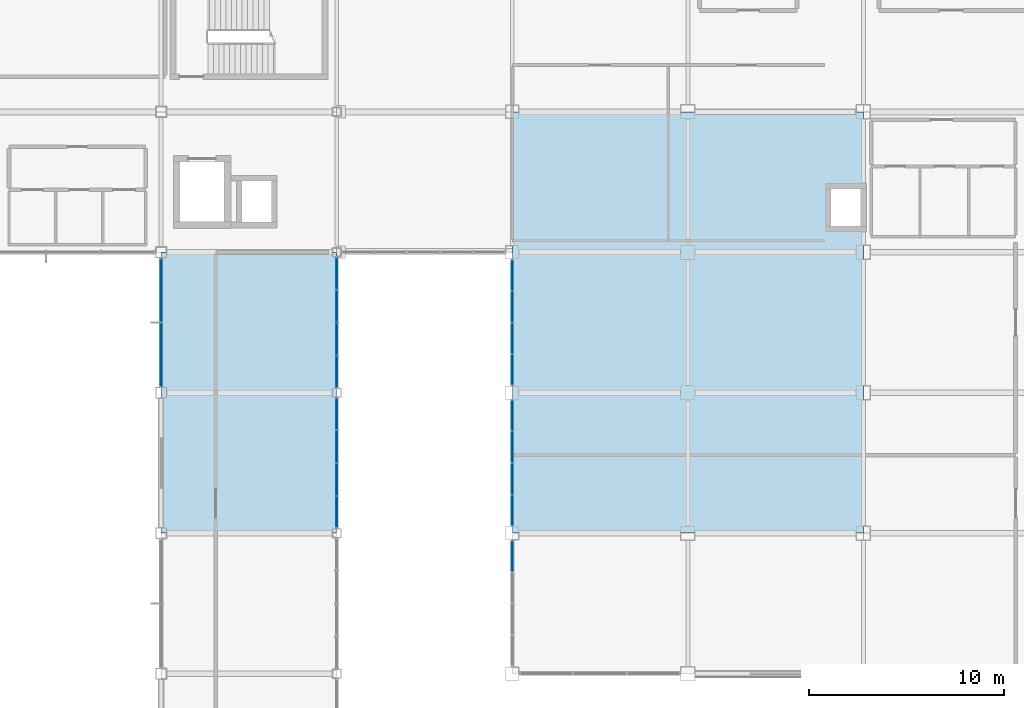
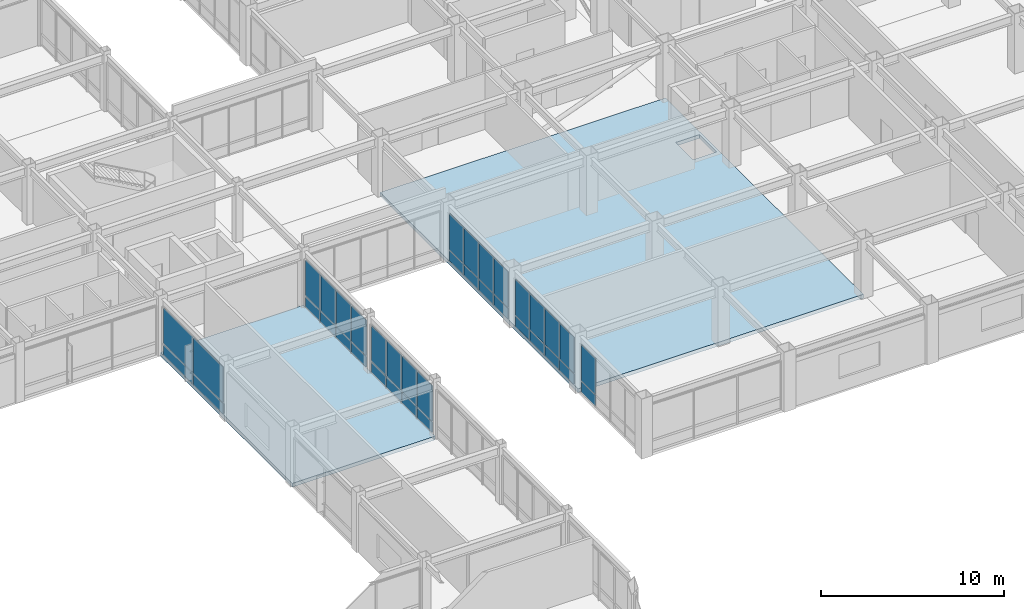
# One storey, part 93 of 122: 38 plates, 2 slabs, 6 elements without a shape of their own.
"""IFC4 building model written with IfcOpenShell, lengths in metres."""

import ifcopenshell
import ifcopenshell.guid

model = None  # the IFC model being written
_history = None  # IfcOwnerHistory: only IFC2X3 demands one
_inside = {}  # id of a spatial element -> (the spatial element, [elements in it])
_under = {}  # id of a project, library or spatial element -> (it, [spatial elements below it])
_declared = {}  # id of a project -> (the project, [libraries it declares])
_typed = {}  # id of a type object -> (the type object, [elements of that type])
_made_of = {}  # id of a material, layer set ... -> (it, [elements and type objects made of it])


def new_model(schema):
    """Start an empty IFC model of exactly this schema.

    Asked for "IFC4X3", IfcOpenShell would pick the latest addendum, in which some entities
    have other attributes; the version numbers below select the first issue.
    IFC2X3 requires an IfcOwnerHistory on every rooted entity: one is made here for all.
    """
    global model, _history
    if schema == "IFC4X3":
        model = ifcopenshell.file(schema_version=(4, 3, 0, 0))
    else:
        model = ifcopenshell.file(schema=schema)
    _inside.clear()
    _under.clear()
    _declared.clear()
    _typed.clear()
    _made_of.clear()
    _history = None
    if model.schema == "IFC2X3":
        org = make("IfcOrganization", Name="unknown")
        user = make(
            "IfcPersonAndOrganization",
            ThePerson=make("IfcPerson", FamilyName="unknown"),
            TheOrganization=org,
        )
        app = make(
            "IfcApplication",
            ApplicationDeveloper=org,
            Version="unknown",
            ApplicationFullName="unknown",
            ApplicationIdentifier="unknown",
        )
        _history = make(
            "IfcOwnerHistory",
            OwningUser=user,
            OwningApplication=app,
            ChangeAction="ADDED",
            CreationDate=0,
        )
    return model


def make(cls, **values):
    """One entity of the class cls with the attributes given. An attribute that is None is left unset."""
    return model.create_entity(
        cls, **{name: value for name, value in values.items() if value is not None}
    )


def rooted(cls, **values):
    """An entity with a GlobalId (a new one), such as an element, a storey or a relation."""
    return make(cls, GlobalId=ifcopenshell.guid.new(), OwnerHistory=_history, **values)


def si_unit(unit_type, name, prefix=None):
    """IfcSIUnit, for example si_unit("LENGTHUNIT", "METRE", prefix="MILLI")."""
    return make("IfcSIUnit", UnitType=unit_type, Prefix=prefix, Name=name)


def assignment(units):
    """IfcUnitAssignment: the units of a project."""
    return None if units is None else make("IfcUnitAssignment", Units=units)


def point(xyz):
    """IfcCartesianPoint."""
    return None if xyz is None else make("IfcCartesianPoint", Coordinates=xyz)


def direction(xyz):
    """IfcDirection."""
    return None if xyz is None else make("IfcDirection", DirectionRatios=xyz)


def frame(location, z_axis=None, x_axis=None):
    """IfcAxis2Placement3D, a coordinate frame: its origin and axes. An axis left out is left unset."""
    return make(
        "IfcAxis2Placement3D",
        Location=point(location),
        Axis=direction(z_axis),
        RefDirection=direction(x_axis),
    )


def frame_2d(location, x_axis=None):
    """IfcAxis2Placement2D, a coordinate frame in the plane: its origin and x axis."""
    return make(
        "IfcAxis2Placement2D", Location=point(location), RefDirection=direction(x_axis)
    )


def origin():
    """The frame at (0, 0, 0) with its axes left unset."""
    return frame((0.0, 0.0, 0.0))


def origin_2d():
    """The frame at (0, 0) in the plane with its x axis left unset."""
    return frame_2d((0.0, 0.0))


def place(relative_to, where):
    """IfcLocalPlacement: puts the frame where relative to a parent placement (None: the world)."""
    return make(
        "IfcLocalPlacement", PlacementRelTo=relative_to, RelativePlacement=where
    )


def context(
    kind, dimensions, precision=None, world=None, true_north=None, identifier=None
):
    """IfcGeometricRepresentationContext, for example the 3D "Model" context."""
    return make(
        "IfcGeometricRepresentationContext",
        ContextIdentifier=identifier,
        ContextType=kind,
        CoordinateSpaceDimension=dimensions,
        Precision=precision,
        WorldCoordinateSystem=world,
        TrueNorth=true_north,
    )


def subcontext(parent, identifier, kind, view, scale=None):
    """IfcGeometricRepresentationSubContext, for example "Body" below "Model"."""
    return make(
        "IfcGeometricRepresentationSubContext",
        ContextIdentifier=identifier,
        ContextType=kind,
        ParentContext=parent,
        TargetScale=scale,
        TargetView=view,
    )


def project(units=None, contexts=None):
    """IfcProject with its units and contexts."""
    return rooted(
        "IfcProject",
        Name="project",
        RepresentationContexts=contexts,
        UnitsInContext=assignment(units),
    )


def spatial(cls, under=None, at=None, **own):
    """A site, building, storey or space (cls), placed at a placement, below another one or the project."""
    s = rooted(cls, ObjectPlacement=at, **own)
    if under is not None:
        _under.setdefault(under.id(), (under, []))[1].append(s)
    return s


def polyline(points):
    """IfcPolyline through the points."""
    return make("IfcPolyline", Points=[point(p) for p in points])


def profile(cls, at=None, kind="AREA", **sizes):
    """A parametric profile (cls). Its sizes go by their IFC names, for example OverallWidth=200.0."""
    return make(cls, ProfileType=kind, Position=at, **sizes)


def rectangle(**sizes):
    """IfcRectangleProfileDef."""
    return profile("IfcRectangleProfileDef", **sizes)


def outline(outer, holes=None, kind="AREA"):
    """IfcArbitraryClosedProfileDef: a profile drawn as a closed curve; with holes, ...WithVoids."""
    if holes is None:
        return make("IfcArbitraryClosedProfileDef", ProfileType=kind, OuterCurve=outer)
    return make(
        "IfcArbitraryProfileDefWithVoids",
        ProfileType=kind,
        OuterCurve=outer,
        InnerCurves=holes,
    )


def extrude(swept, where, along, depth):
    """IfcExtrudedAreaSolid: the profile swept, set in the frame where, extruded along a direction by depth."""
    return make(
        "IfcExtrudedAreaSolid",
        SweptArea=swept,
        Position=where,
        ExtrudedDirection=direction(along),
        Depth=depth,
    )


def shape(context_of_items, identifier, shape_type, items):
    """IfcShapeRepresentation: the items that make up one representation, for example the "Body"."""
    return make(
        "IfcShapeRepresentation",
        ContextOfItems=context_of_items,
        RepresentationIdentifier=identifier,
        RepresentationType=shape_type,
        Items=items,
    )


def material(Name=None, Category=None):
    """IfcMaterial."""
    return make("IfcMaterial", Name=Name, Category=Category)


def layer(
    of_material, thickness, ventilated=None, Name=None, Category=None, Priority=None
):
    """IfcMaterialLayer: one layer of a wall or slab, of a material (None: an air gap)."""
    return make(
        "IfcMaterialLayer",
        Material=of_material,
        LayerThickness=thickness,
        IsVentilated=ventilated,
        Name=Name,
        Category=Category,
        Priority=Priority,
    )


def layer_set(layers, Name=None):
    """IfcMaterialLayerSet."""
    return make("IfcMaterialLayerSet", MaterialLayers=layers, LayerSetName=Name)


def made_of(thing, what):
    """Note that an element or type object is made of a material, layer set ...; save() writes the relation."""
    if what is not None:
        _made_of.setdefault(what.id(), (what, []))[1].append(thing)
    return thing


def type_object(cls, material=None, **own):
    """A type object (cls), such as IfcWallType, which elements share."""
    return made_of(rooted(cls, **own), material)


def element(
    cls,
    number,
    at=None,
    inside=None,
    cuts=None,
    type_object=None,
    material=None,
    context=None,
    identifier="Body",
    shape_type=None,
    held_by="IfcProductDefinitionShape",
    body=None,
    shapes=None,
    **own,
):
    """One element of the class cls, such as IfcWall. Its Tag is "e" and its number.

    at: its placement. inside: the storey or other place that contains it. cuts: it is an
    opening in that element (IfcRelVoidsElement). A single representation is given by context,
    identifier, shape_type and body (its items); several are given by shapes. held_by: the class
    of the entity that holds the representations. save() writes the other relations.
    """
    e = rooted(cls, Tag="e%d" % number, ObjectPlacement=at, **own)
    if body is not None:
        shapes = [shape(context, identifier, shape_type, body)]
    if shapes is not None:
        e.Representation = make(held_by, Representations=shapes)
    if inside is not None:
        _inside.setdefault(inside.id(), (inside, []))[1].append(e)
    if cuts is not None:
        rooted(
            "IfcRelVoidsElement", RelatingBuildingElement=cuts, RelatedOpeningElement=e
        )
    if type_object is not None:
        _typed.setdefault(type_object.id(), (type_object, []))[1].append(e)
    return made_of(e, material)


def aggregate(whole, parts):
    """IfcRelAggregates: a whole, such as a stair, and the parts it consists of."""
    return rooted("IfcRelAggregates", RelatingObject=whole, RelatedObjects=parts)


def save(model, path):
    """Write the relations noted so far, then the file.

    IfcRelAggregates (storeys below a building ...), IfcRelContainedInSpatialStructure (elements
    in a storey), IfcRelDefinesByType, IfcRelAssociatesMaterial and IfcRelDeclares: one each for
    every whole, place, type object, material and project.
    """
    for whole, parts in _under.values():
        aggregate(whole, parts)
    for where, things in _inside.values():
        rooted(
            "IfcRelContainedInSpatialStructure",
            RelatedElements=things,
            RelatingStructure=where,
        )
    for kind, things in _typed.values():
        rooted("IfcRelDefinesByType", RelatedObjects=things, RelatingType=kind)
    for what, things in _made_of.values():
        rooted("IfcRelAssociatesMaterial", RelatedObjects=things, RelatingMaterial=what)
    for by, libraries in _declared.values():
        rooted("IfcRelDeclares", RelatingContext=by, RelatedDefinitions=libraries)
    model.write(path)


model = new_model("IFC4")

# Units and contexts
model_context = context("Model", 3, precision=1e-05, world=origin(), true_north=direction((0.0, 1.0)))
body_context = subcontext(model_context, "Body", "Model", "MODEL_VIEW")
ifc_project = project(units=[si_unit("LENGTHUNIT", "METRE"), si_unit("AREAUNIT", "SQUARE_METRE"), si_unit("VOLUMEUNIT", "CUBIC_METRE"), si_unit("PLANEANGLEUNIT", "RADIAN"), si_unit("MASSUNIT", "GRAM", prefix="KILO")], contexts=[model_context])

# Site, building, storey
site_placement = place(None, origin())
site = spatial("IfcSite", under=ifc_project, at=site_placement, CompositionType="ELEMENT")
building_placement = place(site_placement, origin())
building = spatial("IfcBuilding", under=site, at=building_placement, Name="Kazanami Central Library", CompositionType="ELEMENT")
storey_placement = place(building_placement, frame((0.0, 0.0, 4.800048828125)))
storey = spatial("IfcBuildingStorey", under=building, at=storey_placement, Name="L02", CompositionType="ELEMENT", Elevation=4.800048828125)

# Curtain wall, plates
ifc_material_1 = material(Name="Acid-Etched Low-E Laminated Glass", Category="glass")
curtain_wall_type_1 = type_object("IfcCurtainWallType", Name="CW-6650x3255-M275", PredefinedType="USERDEFINED", material=ifc_material_1)
curtain_wall_1_placement = place(storey_placement, origin())
curtain_wall_1 = element("IfcCurtainWall", 1, at=curtain_wall_1_placement, inside=storey, type_object=curtain_wall_type_1, Name="Unitised Curtain Wall CW-22 L02 W-12-08", ObjectType="UNITISED CURTAIN WALL", PredefinedType="USERDEFINED")
ifc_layer_1 = layer(ifc_material_1, 0.035888671875, Name="Acid-Etched Low-E Laminated Glass")
ifc_layer_set_1 = layer_set([ifc_layer_1], Name="Acid-Etched Low-E Laminated Glass")
plate_type_1 = type_object("IfcPlateType", Name="PLT-CW-P1", PredefinedType="CURTAIN_PANEL", material=ifc_layer_set_1)
plate_1_placement = place(storey_placement, frame((99.0, 59.554931640625, 0.81494140625), z_axis=(0.0, 0.0, 1.0), x_axis=(0.0, 1.0, 0.0)))
plate_1 = element("IfcPlate", 2, at=plate_1_placement, type_object=plate_type_1, Name="CW-22 panel 1.2", PredefinedType="CURTAIN_PANEL", context=body_context, shape_type="SweptSolid", body=[
    extrude(rectangle(XDim=3.219970703125, YDim=0.035888671875, at=origin_2d()), origin(), (0.0, 0.0, 1.0), 2.3701171875),
])
plate_2_placement = place(storey_placement, frame((99.0, 62.844970703125, 0.81494140625), z_axis=(0.0, 0.0, 1.0), x_axis=(0.0, 1.0, 0.0)))
plate_2 = element("IfcPlate", 3, at=plate_2_placement, type_object=plate_type_1, Name="CW-22 panel 2.2", PredefinedType="CURTAIN_PANEL", context=body_context, shape_type="SweptSolid", body=[
    extrude(rectangle(XDim=3.219970703125, YDim=0.035888671875, at=origin_2d()), origin(), (0.0, 0.0, 1.0), 2.3701171875),
])

curtain_wall_type_2 = type_object("IfcCurtainWallType", Name="CW-6750x3255-M180", PredefinedType="USERDEFINED", material=ifc_material_1)
curtain_wall_2_placement = place(storey_placement, origin())
curtain_wall_2 = element("IfcCurtainWall", 4, at=curtain_wall_2_placement, inside=storey, type_object=curtain_wall_type_2, Name="Covered Link Bridge Curtain Wall CW-21 L02 E-13-07", ObjectType="UNITISED CURTAIN WALL", PredefinedType="USERDEFINED")
ifc_material_2 = material(Name="Low-E Insulated Triple Glass", Category="glass")
ifc_layer_2 = layer(ifc_material_2, 0.0400390625, Name="Low-E Insulated Triple Glass")
ifc_layer_set_2 = layer_set([ifc_layer_2], Name="Low-E Insulated Triple Glass")
plate_type_2 = type_object("IfcPlateType", Name="PLT-CW-P3", PredefinedType="CURTAIN_PANEL", material=ifc_layer_set_2)
plate_3_placement = place(storey_placement, frame((108.0, 56.513671875, 0.81494140625), z_axis=(0.0, 0.0, 1.0), x_axis=(0.0, -1.0, 0.0)))
plate_3 = element("IfcPlate", 5, at=plate_3_placement, type_object=plate_type_2, Name="CW-21 panel 1.2", PredefinedType="CURTAIN_PANEL", context=body_context, shape_type="SweptSolid", body=[
    extrude(rectangle(XDim=1.58251953125, YDim=0.0400390625, at=origin_2d()), origin(), (0.0, 0.0, 1.0), 2.3701171875),
])
plate_4_placement = place(storey_placement, frame((108.0, 54.84375, 0.81494140625), z_axis=(0.0, 0.0, 1.0), x_axis=(0.0, -1.0, 0.0)))
plate_4 = element("IfcPlate", 6, at=plate_4_placement, type_object=plate_type_2, Name="CW-21 panel 2.2", PredefinedType="CURTAIN_PANEL", context=body_context, shape_type="SweptSolid", body=[
    extrude(rectangle(XDim=1.617431640625, YDim=0.0400390625, at=origin_2d()), origin(), (0.0, 0.0, 1.0), 2.3701171875),
])
plate_5_placement = place(storey_placement, frame((108.0, 53.15625, 0.81494140625), z_axis=(0.0, 0.0, 1.0), x_axis=(0.0, -1.0, 0.0)))
plate_5 = element("IfcPlate", 7, at=plate_5_placement, type_object=plate_type_2, Name="CW-21 panel 3.2", PredefinedType="CURTAIN_PANEL", context=body_context, shape_type="SweptSolid", body=[
    extrude(rectangle(XDim=1.617431640625, YDim=0.0400390625, at=origin_2d()), origin(), (0.0, 0.0, 1.0), 2.3701171875),
])
plate_6_placement = place(storey_placement, frame((108.0, 51.486328125, 0.81494140625), z_axis=(0.0, 0.0, 1.0), x_axis=(0.0, -1.0, 0.0)))
plate_6 = element("IfcPlate", 8, at=plate_6_placement, type_object=plate_type_2, Name="CW-21 panel 4.2", PredefinedType="CURTAIN_PANEL", context=body_context, shape_type="SweptSolid", body=[
    extrude(rectangle(XDim=1.58251953125, YDim=0.0400390625, at=origin_2d()), origin(), (0.0, 0.0, 1.0), 2.3701171875),
])

curtain_wall_3_placement = place(storey_placement, origin())
curtain_wall_3 = element("IfcCurtainWall", 9, at=curtain_wall_3_placement, inside=storey, type_object=curtain_wall_type_2, Name="Covered Link Bridge Curtain Wall CW-21 L02 E-13-08", ObjectType="UNITISED CURTAIN WALL", PredefinedType="USERDEFINED")
plate_7_placement = place(storey_placement, frame((108.0, 63.7138671875, 0.81494140625), z_axis=(0.0, 0.0, 1.0), x_axis=(0.0, -1.0, 0.0)))
plate_7 = element("IfcPlate", 10, at=plate_7_placement, type_object=plate_type_2, Name="CW-21 panel 1.2", PredefinedType="CURTAIN_PANEL", context=body_context, shape_type="SweptSolid", body=[
    extrude(rectangle(XDim=1.58251953125, YDim=0.0400390625, at=origin_2d()), origin(), (0.0, 0.0, 1.0), 2.3701171875),
])
plate_8_placement = place(storey_placement, frame((108.0, 62.043701171875, 0.81494140625), z_axis=(0.0, 0.0, 1.0), x_axis=(0.0, -1.0, 0.0)))
plate_8 = element("IfcPlate", 11, at=plate_8_placement, type_object=plate_type_2, Name="CW-21 panel 2.2", PredefinedType="CURTAIN_PANEL", context=body_context, shape_type="SweptSolid", body=[
    extrude(rectangle(XDim=1.617431640625, YDim=0.0400390625, at=origin_2d()), origin(), (0.0, 0.0, 1.0), 2.3701171875),
])
plate_9_placement = place(storey_placement, frame((108.0, 60.356201171875, 0.81494140625), z_axis=(0.0, 0.0, 1.0), x_axis=(0.0, -1.0, 0.0)))
plate_9 = element("IfcPlate", 12, at=plate_9_placement, type_object=plate_type_2, Name="CW-21 panel 3.2", PredefinedType="CURTAIN_PANEL", context=body_context, shape_type="SweptSolid", body=[
    extrude(rectangle(XDim=1.617431640625, YDim=0.0400390625, at=origin_2d()), origin(), (0.0, 0.0, 1.0), 2.3701171875),
])
plate_10_placement = place(storey_placement, frame((108.0, 58.686279296875, 0.81494140625), z_axis=(0.0, 0.0, 1.0), x_axis=(0.0, -1.0, 0.0)))
plate_10 = element("IfcPlate", 13, at=plate_10_placement, type_object=plate_type_2, Name="CW-21 panel 4.2", PredefinedType="CURTAIN_PANEL", context=body_context, shape_type="SweptSolid", body=[
    extrude(rectangle(XDim=1.58251953125, YDim=0.0400390625, at=origin_2d()), origin(), (0.0, 0.0, 1.0), 2.3701171875),
])

# Curtain wall, plate
curtain_wall_type_3 = type_object("IfcCurtainWallType", Name="CW-6500x3255-M180", PredefinedType="USERDEFINED", material=ifc_material_1)
curtain_wall_4_placement = place(storey_placement, origin())
curtain_wall_4 = element("IfcCurtainWall", 14, at=curtain_wall_4_placement, inside=storey, type_object=curtain_wall_type_3, Name="Covered Link Bridge Curtain Wall CW-23 L02 W-14-06", ObjectType="UNITISED CURTAIN WALL", PredefinedType="USERDEFINED")
plate_11_placement = place(storey_placement, frame((117.0, 49.222412109375, 0.81005859375), z_axis=(0.0, 0.0, 1.0), x_axis=(0.0, 1.0, 0.0)))
plate_11 = element("IfcPlate", 15, at=plate_11_placement, type_object=plate_type_2, Name="CW-23 panel 4.2", PredefinedType="CURTAIN_PANEL", context=body_context, shape_type="SweptSolid", body=[
    extrude(rectangle(XDim=1.534912109375, YDim=0.0400390625, at=origin_2d()), origin(), (0.0, 0.0, 1.0), 2.385009765625),
])

# Curtain wall, plates
curtain_wall_5_placement = place(storey_placement, origin())
curtain_wall_5 = element("IfcCurtainWall", 16, at=curtain_wall_5_placement, inside=storey, type_object=curtain_wall_type_3, Name="Covered Link Bridge Curtain Wall CW-23 L02 W-14-07", ObjectType="UNITISED CURTAIN WALL", PredefinedType="USERDEFINED")
plate_12_placement = place(storey_placement, frame((117.0, 51.577392578125, 0.81005859375), z_axis=(0.0, 0.0, 1.0), x_axis=(0.0, 1.0, 0.0)))
plate_12 = element("IfcPlate", 17, at=plate_12_placement, type_object=plate_type_2, Name="CW-23 panel 1.2", PredefinedType="CURTAIN_PANEL", context=body_context, shape_type="SweptSolid", body=[
    extrude(rectangle(XDim=1.534912109375, YDim=0.0400390625, at=origin_2d()), origin(), (0.0, 0.0, 1.0), 2.385009765625),
])
plate_13_placement = place(storey_placement, frame((117.0, 53.1875, 0.81005859375), z_axis=(0.0, 0.0, 1.0), x_axis=(0.0, 1.0, 0.0)))
plate_13 = element("IfcPlate", 18, at=plate_13_placement, type_object=plate_type_2, Name="CW-23 panel 2.2", PredefinedType="CURTAIN_PANEL", context=body_context, shape_type="SweptSolid", body=[
    extrude(rectangle(XDim=1.56494140625, YDim=0.0400390625, at=origin_2d()), origin(), (0.0, 0.0, 1.0), 2.385009765625),
])
plate_14_placement = place(storey_placement, frame((117.0, 54.8125, 0.81005859375), z_axis=(0.0, 0.0, 1.0), x_axis=(0.0, 1.0, 0.0)))
plate_14 = element("IfcPlate", 19, at=plate_14_placement, type_object=plate_type_2, Name="CW-23 panel 3.2", PredefinedType="CURTAIN_PANEL", context=body_context, shape_type="SweptSolid", body=[
    extrude(rectangle(XDim=1.56494140625, YDim=0.0400390625, at=origin_2d()), origin(), (0.0, 0.0, 1.0), 2.385009765625),
])
plate_15_placement = place(storey_placement, frame((117.0, 56.422607421875, 0.81005859375), z_axis=(0.0, 0.0, 1.0), x_axis=(0.0, 1.0, 0.0)))
plate_15 = element("IfcPlate", 20, at=plate_15_placement, type_object=plate_type_2, Name="CW-23 panel 4.2", PredefinedType="CURTAIN_PANEL", context=body_context, shape_type="SweptSolid", body=[
    extrude(rectangle(XDim=1.534912109375, YDim=0.0400390625, at=origin_2d()), origin(), (0.0, 0.0, 1.0), 2.385009765625),
])

curtain_wall_6_placement = place(storey_placement, origin())
curtain_wall_6 = element("IfcCurtainWall", 21, at=curtain_wall_6_placement, inside=storey, type_object=curtain_wall_type_3, Name="Covered Link Bridge Curtain Wall CW-23 L02 W-14-08", ObjectType="UNITISED CURTAIN WALL", PredefinedType="USERDEFINED")
plate_16_placement = place(storey_placement, frame((117.0, 58.777587890625, 0.81005859375), z_axis=(0.0, 0.0, 1.0), x_axis=(0.0, 1.0, 0.0)))
plate_16 = element("IfcPlate", 22, at=plate_16_placement, type_object=plate_type_2, Name="CW-23 panel 1.2", PredefinedType="CURTAIN_PANEL", context=body_context, shape_type="SweptSolid", body=[
    extrude(rectangle(XDim=1.534912109375, YDim=0.0400390625, at=origin_2d()), origin(), (0.0, 0.0, 1.0), 2.385009765625),
])
plate_17_placement = place(storey_placement, frame((117.0, 60.387451171875, 0.81005859375), z_axis=(0.0, 0.0, 1.0), x_axis=(0.0, 1.0, 0.0)))
plate_17 = element("IfcPlate", 23, at=plate_17_placement, type_object=plate_type_2, Name="CW-23 panel 2.2", PredefinedType="CURTAIN_PANEL", context=body_context, shape_type="SweptSolid", body=[
    extrude(rectangle(XDim=1.56494140625, YDim=0.0400390625, at=origin_2d()), origin(), (0.0, 0.0, 1.0), 2.385009765625),
])
plate_18_placement = place(storey_placement, frame((117.0, 62.012451171875, 0.81005859375), z_axis=(0.0, 0.0, 1.0), x_axis=(0.0, 1.0, 0.0)))
plate_18 = element("IfcPlate", 24, at=plate_18_placement, type_object=plate_type_2, Name="CW-23 panel 3.2", PredefinedType="CURTAIN_PANEL", context=body_context, shape_type="SweptSolid", body=[
    extrude(rectangle(XDim=1.56494140625, YDim=0.0400390625, at=origin_2d()), origin(), (0.0, 0.0, 1.0), 2.385009765625),
])
plate_19_placement = place(storey_placement, frame((117.0, 63.62255859375, 0.81005859375), z_axis=(0.0, 0.0, 1.0), x_axis=(0.0, 1.0, 0.0)))
plate_19 = element("IfcPlate", 25, at=plate_19_placement, type_object=plate_type_2, Name="CW-23 panel 4.2", PredefinedType="CURTAIN_PANEL", context=body_context, shape_type="SweptSolid", body=[
    extrude(rectangle(XDim=1.534912109375, YDim=0.0400390625, at=origin_2d()), origin(), (0.0, 0.0, 1.0), 2.385009765625),
])

# Plate
ifc_material_3 = material(Name="Anodised Aluminium A5052-H32", Category="aluminium")
ifc_layer_3 = layer(ifc_material_3, 0.06005859375, Name="Anodised Aluminium A5052-H32")
ifc_layer_set_3 = layer_set([ifc_layer_3], Name="Anodised Aluminium A5052-H32")
plate_type_3 = type_object("IfcPlateType", Name="PLT-CW-SP1", PredefinedType="CURTAIN_PANEL", material=ifc_layer_set_3)
plate_20_placement = place(storey_placement, frame((99.0, 59.554931640625, 0.06982421875), z_axis=(0.0, 0.0, 1.0), x_axis=(0.0, 1.0, 0.0)))
plate_20 = element("IfcPlate", 26, at=plate_20_placement, type_object=plate_type_3, Name="CW-22 panel 1.1", PredefinedType="CURTAIN_PANEL", context=body_context, shape_type="SweptSolid", body=[
    extrude(rectangle(XDim=3.219970703125, YDim=0.06005859375, at=origin_2d()), origin(), (0.0, 0.0, 1.0), 0.675048828125),
])

plate_21_placement = place(storey_placement, frame((99.0, 62.844970703125, 0.06982421875), z_axis=(0.0, 0.0, 1.0), x_axis=(0.0, 1.0, 0.0)))
plate_21 = element("IfcPlate", 27, at=plate_21_placement, type_object=plate_type_3, Name="CW-22 panel 2.1", PredefinedType="CURTAIN_PANEL", context=body_context, shape_type="SweptSolid", body=[
    extrude(rectangle(XDim=3.219970703125, YDim=0.06005859375, at=origin_2d()), origin(), (0.0, 0.0, 1.0), 0.675048828125),
])

aggregate(curtain_wall_1, [plate_20, plate_1, plate_21, plate_2])

plate_22_placement = place(storey_placement, frame((108.0, 56.513671875, 0.06982421875), z_axis=(0.0, 0.0, 1.0), x_axis=(0.0, -1.0, 0.0)))
plate_22 = element("IfcPlate", 28, at=plate_22_placement, type_object=plate_type_3, Name="CW-21 panel 1.1", PredefinedType="CURTAIN_PANEL", context=body_context, shape_type="SweptSolid", body=[
    extrude(rectangle(XDim=1.58251953125, YDim=0.06005859375, at=origin_2d()), origin(), (0.0, 0.0, 1.0), 0.675048828125),
])

plate_23_placement = place(storey_placement, frame((108.0, 54.84375, 0.06982421875), z_axis=(0.0, 0.0, 1.0), x_axis=(0.0, -1.0, 0.0)))
plate_23 = element("IfcPlate", 29, at=plate_23_placement, type_object=plate_type_3, Name="CW-21 panel 2.1", PredefinedType="CURTAIN_PANEL", context=body_context, shape_type="SweptSolid", body=[
    extrude(rectangle(XDim=1.617431640625, YDim=0.06005859375, at=origin_2d()), origin(), (0.0, 0.0, 1.0), 0.675048828125),
])

plate_24_placement = place(storey_placement, frame((108.0, 53.15625, 0.06982421875), z_axis=(0.0, 0.0, 1.0), x_axis=(0.0, -1.0, 0.0)))
plate_24 = element("IfcPlate", 30, at=plate_24_placement, type_object=plate_type_3, Name="CW-21 panel 3.1", PredefinedType="CURTAIN_PANEL", context=body_context, shape_type="SweptSolid", body=[
    extrude(rectangle(XDim=1.617431640625, YDim=0.06005859375, at=origin_2d()), origin(), (0.0, 0.0, 1.0), 0.675048828125),
])

plate_25_placement = place(storey_placement, frame((108.0, 51.486328125, 0.06982421875), z_axis=(0.0, 0.0, 1.0), x_axis=(0.0, -1.0, 0.0)))
plate_25 = element("IfcPlate", 31, at=plate_25_placement, type_object=plate_type_3, Name="CW-21 panel 4.1", PredefinedType="CURTAIN_PANEL", context=body_context, shape_type="SweptSolid", body=[
    extrude(rectangle(XDim=1.58251953125, YDim=0.06005859375, at=origin_2d()), origin(), (0.0, 0.0, 1.0), 0.675048828125),
])

aggregate(curtain_wall_2, [plate_22, plate_3, plate_23, plate_4, plate_24, plate_5, plate_25, plate_6])

plate_26_placement = place(storey_placement, frame((108.0, 63.7138671875, 0.06982421875), z_axis=(0.0, 0.0, 1.0), x_axis=(0.0, -1.0, 0.0)))
plate_26 = element("IfcPlate", 32, at=plate_26_placement, type_object=plate_type_3, Name="CW-21 panel 1.1", PredefinedType="CURTAIN_PANEL", context=body_context, shape_type="SweptSolid", body=[
    extrude(rectangle(XDim=1.58251953125, YDim=0.06005859375, at=origin_2d()), origin(), (0.0, 0.0, 1.0), 0.675048828125),
])

plate_27_placement = place(storey_placement, frame((108.0, 62.043701171875, 0.06982421875), z_axis=(0.0, 0.0, 1.0), x_axis=(0.0, -1.0, 0.0)))
plate_27 = element("IfcPlate", 33, at=plate_27_placement, type_object=plate_type_3, Name="CW-21 panel 2.1", PredefinedType="CURTAIN_PANEL", context=body_context, shape_type="SweptSolid", body=[
    extrude(rectangle(XDim=1.617431640625, YDim=0.06005859375, at=origin_2d()), origin(), (0.0, 0.0, 1.0), 0.675048828125),
])

plate_28_placement = place(storey_placement, frame((108.0, 60.356201171875, 0.06982421875), z_axis=(0.0, 0.0, 1.0), x_axis=(0.0, -1.0, 0.0)))
plate_28 = element("IfcPlate", 34, at=plate_28_placement, type_object=plate_type_3, Name="CW-21 panel 3.1", PredefinedType="CURTAIN_PANEL", context=body_context, shape_type="SweptSolid", body=[
    extrude(rectangle(XDim=1.617431640625, YDim=0.06005859375, at=origin_2d()), origin(), (0.0, 0.0, 1.0), 0.675048828125),
])

plate_29_placement = place(storey_placement, frame((108.0, 58.686279296875, 0.06982421875), z_axis=(0.0, 0.0, 1.0), x_axis=(0.0, -1.0, 0.0)))
plate_29 = element("IfcPlate", 35, at=plate_29_placement, type_object=plate_type_3, Name="CW-21 panel 4.1", PredefinedType="CURTAIN_PANEL", context=body_context, shape_type="SweptSolid", body=[
    extrude(rectangle(XDim=1.58251953125, YDim=0.06005859375, at=origin_2d()), origin(), (0.0, 0.0, 1.0), 0.675048828125),
])

aggregate(curtain_wall_3, [plate_26, plate_7, plate_27, plate_8, plate_28, plate_9, plate_29, plate_10])

ifc_layer_4 = layer(ifc_material_3, 0.052001953125, Name="Anodised Aluminium A5052-H32")
ifc_layer_set_4 = layer_set([ifc_layer_4], Name="Anodised Aluminium A5052-H32")
plate_type_4 = type_object("IfcPlateType", Name="PLT-CW-SP2", PredefinedType="CURTAIN_PANEL", material=ifc_layer_set_4)
plate_30_placement = place(storey_placement, frame((117.0, 49.222412109375, 0.06005859375), z_axis=(0.0, 0.0, 1.0), x_axis=(0.0, 1.0, 0.0)))
plate_30 = element("IfcPlate", 36, at=plate_30_placement, type_object=plate_type_4, Name="CW-23 panel 4.1", PredefinedType="CURTAIN_PANEL", context=body_context, shape_type="SweptSolid", body=[
    extrude(rectangle(XDim=1.534912109375, YDim=0.052001953125, at=origin_2d()), origin(), (0.0, 0.0, 1.0), 0.68994140625),
])

aggregate(curtain_wall_4, [plate_30, plate_11])

plate_31_placement = place(storey_placement, frame((117.0, 51.577392578125, 0.06005859375), z_axis=(0.0, 0.0, 1.0), x_axis=(0.0, 1.0, 0.0)))
plate_31 = element("IfcPlate", 37, at=plate_31_placement, type_object=plate_type_4, Name="CW-23 panel 1.1", PredefinedType="CURTAIN_PANEL", context=body_context, shape_type="SweptSolid", body=[
    extrude(rectangle(XDim=1.534912109375, YDim=0.052001953125, at=origin_2d()), origin(), (0.0, 0.0, 1.0), 0.68994140625),
])

plate_32_placement = place(storey_placement, frame((117.0, 53.1875, 0.06005859375), z_axis=(0.0, 0.0, 1.0), x_axis=(0.0, 1.0, 0.0)))
plate_32 = element("IfcPlate", 38, at=plate_32_placement, type_object=plate_type_4, Name="CW-23 panel 2.1", PredefinedType="CURTAIN_PANEL", context=body_context, shape_type="SweptSolid", body=[
    extrude(rectangle(XDim=1.56494140625, YDim=0.052001953125, at=origin_2d()), origin(), (0.0, 0.0, 1.0), 0.68994140625),
])

plate_33_placement = place(storey_placement, frame((117.0, 54.8125, 0.06005859375), z_axis=(0.0, 0.0, 1.0), x_axis=(0.0, 1.0, 0.0)))
plate_33 = element("IfcPlate", 39, at=plate_33_placement, type_object=plate_type_4, Name="CW-23 panel 3.1", PredefinedType="CURTAIN_PANEL", context=body_context, shape_type="SweptSolid", body=[
    extrude(rectangle(XDim=1.56494140625, YDim=0.052001953125, at=origin_2d()), origin(), (0.0, 0.0, 1.0), 0.68994140625),
])

plate_34_placement = place(storey_placement, frame((117.0, 56.422607421875, 0.06005859375), z_axis=(0.0, 0.0, 1.0), x_axis=(0.0, 1.0, 0.0)))
plate_34 = element("IfcPlate", 40, at=plate_34_placement, type_object=plate_type_4, Name="CW-23 panel 4.1", PredefinedType="CURTAIN_PANEL", context=body_context, shape_type="SweptSolid", body=[
    extrude(rectangle(XDim=1.534912109375, YDim=0.052001953125, at=origin_2d()), origin(), (0.0, 0.0, 1.0), 0.68994140625),
])

aggregate(curtain_wall_5, [plate_31, plate_12, plate_32, plate_13, plate_33, plate_14, plate_34, plate_15])

plate_35_placement = place(storey_placement, frame((117.0, 58.777587890625, 0.06005859375), z_axis=(0.0, 0.0, 1.0), x_axis=(0.0, 1.0, 0.0)))
plate_35 = element("IfcPlate", 41, at=plate_35_placement, type_object=plate_type_4, Name="CW-23 panel 1.1", PredefinedType="CURTAIN_PANEL", context=body_context, shape_type="SweptSolid", body=[
    extrude(rectangle(XDim=1.534912109375, YDim=0.052001953125, at=origin_2d()), origin(), (0.0, 0.0, 1.0), 0.68994140625),
])

plate_36_placement = place(storey_placement, frame((117.0, 60.387451171875, 0.06005859375), z_axis=(0.0, 0.0, 1.0), x_axis=(0.0, 1.0, 0.0)))
plate_36 = element("IfcPlate", 42, at=plate_36_placement, type_object=plate_type_4, Name="CW-23 panel 2.1", PredefinedType="CURTAIN_PANEL", context=body_context, shape_type="SweptSolid", body=[
    extrude(rectangle(XDim=1.56494140625, YDim=0.052001953125, at=origin_2d()), origin(), (0.0, 0.0, 1.0), 0.68994140625),
])

plate_37_placement = place(storey_placement, frame((117.0, 62.012451171875, 0.06005859375), z_axis=(0.0, 0.0, 1.0), x_axis=(0.0, 1.0, 0.0)))
plate_37 = element("IfcPlate", 43, at=plate_37_placement, type_object=plate_type_4, Name="CW-23 panel 3.1", PredefinedType="CURTAIN_PANEL", context=body_context, shape_type="SweptSolid", body=[
    extrude(rectangle(XDim=1.56494140625, YDim=0.052001953125, at=origin_2d()), origin(), (0.0, 0.0, 1.0), 0.68994140625),
])

plate_38_placement = place(storey_placement, frame((117.0, 63.62255859375, 0.06005859375), z_axis=(0.0, 0.0, 1.0), x_axis=(0.0, 1.0, 0.0)))
plate_38 = element("IfcPlate", 44, at=plate_38_placement, type_object=plate_type_4, Name="CW-23 panel 4.1", PredefinedType="CURTAIN_PANEL", context=body_context, shape_type="SweptSolid", body=[
    extrude(rectangle(XDim=1.534912109375, YDim=0.052001953125, at=origin_2d()), origin(), (0.0, 0.0, 1.0), 0.68994140625),
])

aggregate(curtain_wall_6, [plate_35, plate_16, plate_36, plate_17, plate_37, plate_18, plate_38, plate_19])

# Slabs
ifc_material_4 = material(Name="Concrete Fc36 (36 MPa)", Category="concrete")
ifc_layer_5 = layer(ifc_material_4, 0.2451171875, Name="Concrete Fc36 (36 MPa)")
ifc_layer_set_5 = layer_set([ifc_layer_5], Name="Concrete Fc36 (36 MPa)")
slab_type = type_object("IfcSlabType", Name="SLB-FLR-245", PredefinedType="FLOOR", material=ifc_layer_set_5)
slab_1_placement = place(storey_placement, frame((0.0, 0.0, -0.2451171875)))
element("IfcSlab", 45, at=slab_1_placement, inside=storey, type_object=slab_type, Name="Composite Floor Slab L02 V1-EAST Zone 19", PredefinedType="FLOOR", context=body_context, shape_type="SweptSolid", body=[
    extrude(outline(polyline([(99.0, 50.39990234375), (108.0, 50.39990234375), (108.0, 64.800048828125), (99.0, 64.800048828125), (99.0, 50.39990234375)])), origin(), (0.0, 0.0, 1.0), 0.2451171875),
])
slab_2_placement = place(storey_placement, frame((0.0, 0.0, -0.2451171875)))
element("IfcSlab", 46, at=slab_2_placement, inside=storey, type_object=slab_type, Name="Composite Floor Slab L02 V2-MAIN Zone 32", PredefinedType="FLOOR", context=body_context, shape_type="SweptSolid", body=[
    extrude(outline(polyline([(117.0, 50.39990234375), (135.0, 50.39990234375), (135.0, 72.0), (117.0, 72.0), (117.0, 50.39990234375)]), holes=[polyline([(133.35009765625, 66.14990234375), (134.85009765625, 66.14990234375), (134.85009765625, 68.050048828125), (133.35009765625, 68.050048828125), (133.35009765625, 66.14990234375)])]), origin(), (0.0, 0.0, 1.0), 0.2451171875),
])

save(model, "model.ifc")
